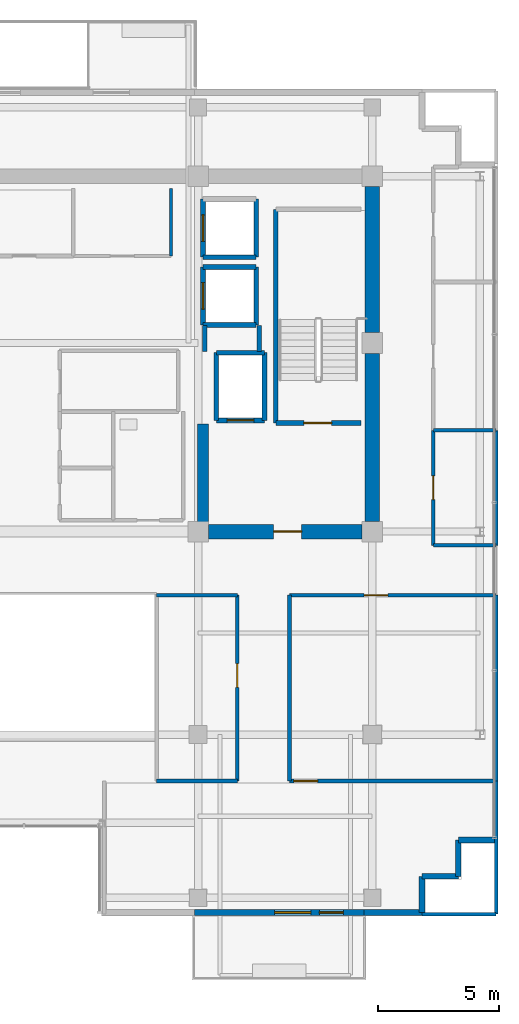
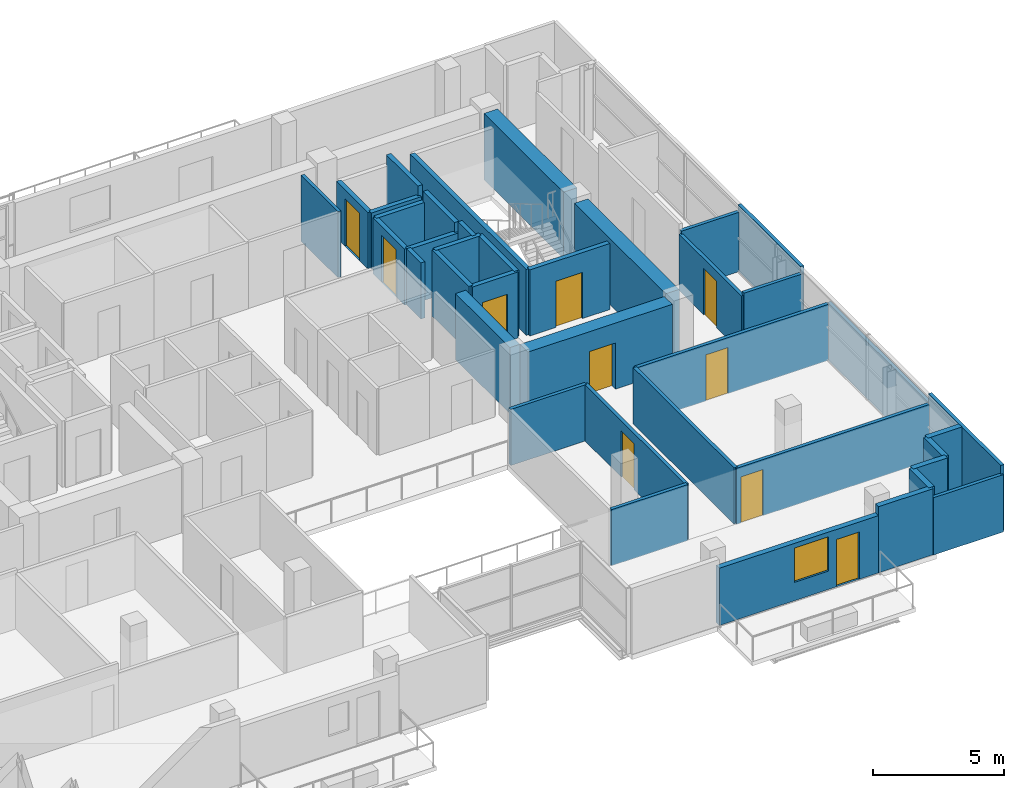
# One storey, part 18 of 24: 39 walls, 10 doors, 1 window, 11 openings.
"""IFC4 building model written with IfcOpenShell, lengths in metres."""

from ifc_helpers import new_model, si_unit, direction, frame, frame_2d, origin, place, context, subcontext, project, spatial, rectangle, extrude, source, transform, mapped, material, layer, layer_set, type_object, element, fill, save


model = new_model("IFC4")

# Units and contexts
model_context = context("Model", 3, precision=1e-05, world=origin(), true_north=direction((0.0, 1.0)))
body_context = subcontext(model_context, "Body", "Model", "MODEL_VIEW")
ifc_project = project(units=[si_unit("LENGTHUNIT", "METRE"), si_unit("AREAUNIT", "SQUARE_METRE"), si_unit("VOLUMEUNIT", "CUBIC_METRE"), si_unit("PLANEANGLEUNIT", "RADIAN"), si_unit("MASSUNIT", "GRAM", prefix="KILO")], contexts=[model_context])

# Site, building, storey
site_placement = place(None, origin())
site = spatial("IfcSite", under=ifc_project, at=site_placement, CompositionType="ELEMENT")
building_placement = place(site_placement, origin())
building = spatial("IfcBuilding", under=site, at=building_placement, Name="Zarnakvel Exchange Tower", CompositionType="ELEMENT")
storey_placement = place(building_placement, frame((0.0, 0.0, 208.89990234375)))
storey = spatial("IfcBuildingStorey", under=building, at=storey_placement, Name="L58", CompositionType="ELEMENT", Elevation=208.89990234375)

# Walls
ifc_material_1 = material(Name="Concrete C50/60", Category="concrete")
ifc_layer_1 = layer(ifc_material_1, 0.60009765625)
ifc_layer_set_1 = layer_set([ifc_layer_1], Name="Concrete C50/60")
wall_type_1 = type_object("IfcWallType", Name="CW-C5", PredefinedType="SHEAR", material=ifc_layer_set_1)
wall_1_placement = place(storey_placement, frame((14.39990234375, -0.77490234375, 0.0), z_axis=(0.0, 0.0, 1.0), x_axis=(0.0, 1.0, 0.0)))
element("IfcWall", 1, at=wall_1_placement, inside=storey, type_object=wall_type_1, Name="L58 Rear Core Shear Wall E1 (CW-C5)", PredefinedType="SHEAR", context=body_context, shape_type="SweptSolid", body=[
    extrude(rectangle(XDim=6.949951171875, YDim=0.60009765625, at=frame_2d((3.47509765625, 0.0))), origin(), (0.0, 0.0, 1.0), 3.0751953125),
])
wall_2_placement = place(storey_placement, frame((14.39990234375, 7.02490234375, 0.0), z_axis=(0.0, 0.0, 1.0), x_axis=(0.0, 1.0, 0.0)))
element("IfcWall", 2, at=wall_2_placement, inside=storey, type_object=wall_type_1, Name="L58 Rear Core Shear Wall E2 (CW-C5)", PredefinedType="SHEAR", context=body_context, shape_type="SweptSolid", body=[
    extrude(rectangle(XDim=6.050048828125, YDim=0.60009765625, at=frame_2d((3.02490234375, 0.0))), origin(), (0.0, 0.0, 1.0), 3.0751953125),
])

# Wall, opening, door
wall_3_placement = place(storey_placement, frame((13.97509765625, -1.199951171875, 0.0), z_axis=(0.0, 0.0, 1.0), x_axis=(-1.0, 0.0, 0.0)))
wall_3 = element("IfcWall", 3, at=wall_3_placement, inside=storey, type_object=wall_type_1, Name="L58 Rear Core Shear Wall SE (CW-C5)", PredefinedType="SHEAR", context=body_context, shape_type="SweptSolid", body=[
    extrude(rectangle(XDim=6.35009765625, YDim=0.60009765625, at=frame_2d((3.175048828125, 0.0))), origin(), (0.0, 0.0, 1.0), 3.0751953125),
])
opening_1_placement = place(wall_3_placement, frame((2.5, 0.0, 0.0)))
opening_1 = element("IfcOpeningElement", 4, at=opening_1_placement, cuts=wall_3, Name="Opening D-L58-04", PredefinedType="OPENING", context=body_context, shape_type="SweptSolid", body=[
    extrude(rectangle(XDim=1.14990234375, YDim=2.14990234375, at=frame_2d((0.574951171875, 1.074951171875))), frame((0.0, 0.31005859375, 0.0), z_axis=(0.0, -1.0, 0.0), x_axis=(1.0, 0.0, 0.0)), (0.0, 0.0, 1.0), 0.6201171875),
])
ifc_material_2 = material(Name="Painted Galvanised Steel S355", Category="steel")
door_type_1 = type_object("IfcDoorType", Name="DT-04", OperationType="NOTDEFINED", PredefinedType="DOOR", material=ifc_material_2)
shared_shape_1 = source(origin(), body_context, "Body", "SweptSolid", [
    extrude(rectangle(XDim=1.14990234375, YDim=2.14990234375, at=frame_2d((0.574951171875, 1.074951171875))), frame((0.0, 0.02490234375, 0.0), z_axis=(0.0, -1.0, 0.0), x_axis=(1.0, 0.0, 0.0)), (0.0, 0.0, 1.0), 0.050048828125),
])
door_1_placement = place(opening_1_placement, origin())
door_1 = element("IfcDoor", 5, at=door_1_placement, inside=storey, type_object=door_type_1, Name="L58 Firefighting Lobby East Door D-L58-04", OperationType="SINGLE_SWING_LEFT", OverallHeight=2.14990234375, OverallWidth=1.14990234375, PredefinedType="DOOR", context=body_context, shape_type="MappedRepresentation", body=[
    mapped(shared_shape_1, transform((0.0, 0.0, 0.0), x_axis=(1.0, 0.0, 0.0), y_axis=(0.0, 1.0, 0.0), z_axis=(0.0, 0.0, 1.0), scale=1.0)),
])
fill(opening_1, door_1)

# Wall
ifc_layer_2 = layer(ifc_material_1, 0.449951171875)
ifc_layer_set_2 = layer_set([ifc_layer_2], Name="Concrete C50/60")
wall_type_2 = type_object("IfcWallType", Name="CW-C6", PredefinedType="SHEAR", material=ifc_layer_set_2)
wall_4_placement = place(storey_placement, frame((7.39990234375, -0.89990234375, 0.0), z_axis=(0.0, 0.0, 1.0), x_axis=(0.0, 1.0, 0.0)))
element("IfcWall", 6, at=wall_4_placement, inside=storey, type_object=wall_type_2, Name="L58 Rear Core Shear Wall IE (CW-C6)", PredefinedType="SHEAR", context=body_context, shape_type="SweptSolid", body=[
    extrude(rectangle(XDim=4.14990234375, YDim=0.449951171875, at=frame_2d((2.074951171875, 0.0))), origin(), (0.0, 0.0, 1.0), 3.0751953125),
])

# Wall, openings, door, window
ifc_material_3 = material(Name="Precast concrete C40/50", Category="concrete")
ifc_layer_3 = layer(ifc_material_3, 0.239990234375)
ifc_layer_set_3 = layer_set([ifc_layer_3], Name="Precast concrete C40/50")
wall_type_3 = type_object("IfcWallType", Name="EW-02", PredefinedType="SOLIDWALL", material=ifc_layer_set_3)
wall_5_placement = place(storey_placement, frame((14.050048828125, -16.9599609375, 0.0), z_axis=(0.0, 0.0, 1.0), x_axis=(-1.0, 0.0, 0.0)))
wall_5 = element("IfcWall", 7, at=wall_5_placement, inside=storey, type_object=wall_type_3, Name="L58 Exterior Precast Spandrel Wall EW-BAL-L58-SE (EW-02)", PredefinedType="SOLIDWALL", context=body_context, shape_type="SweptSolid", body=[
    extrude(rectangle(XDim=7.0, YDim=0.239990234375, at=frame_2d((3.5, 0.0))), origin(), (0.0, 0.0, 1.0), 2.6650390625),
])
opening_2_placement = place(wall_5_placement, frame((0.840087890625, 0.0, 0.0)))
opening_2 = element("IfcOpeningElement", 8, at=opening_2_placement, cuts=wall_5, Name="Opening BD-L58-02", PredefinedType="OPENING", context=body_context, shape_type="SweptSolid", body=[
    extrude(rectangle(XDim=1.0, YDim=2.199951171875, at=frame_2d((0.5, 1.10009765625))), frame((0.0, 0.1298828125, 0.0), z_axis=(0.0, -1.0, 0.0), x_axis=(1.0, 0.0, 0.0)), (0.0, 0.0, 1.0), 0.260009765625),
])
opening_3_placement = place(wall_5_placement, frame((2.18994140625, 0.0, 0.85009765625)))
opening_3 = element("IfcOpeningElement", 9, at=opening_3_placement, cuts=wall_5, Name="Opening WN-03", PredefinedType="OPENING", context=body_context, shape_type="SweptSolid", body=[
    extrude(rectangle(XDim=1.5, YDim=1.60009765625, at=frame_2d((0.75, 0.800048828125))), frame((0.0, 0.1298828125, 0.0), z_axis=(0.0, -1.0, 0.0), x_axis=(1.0, 0.0, 0.0)), (0.0, 0.0, 1.0), 0.260009765625),
])
ifc_material_4 = material(Name="Architectural Bronze Anodised Aluminium", Category="aluminium")
door_type_2 = type_object("IfcDoorType", Name="DT-09", OperationType="NOTDEFINED", PredefinedType="DOOR", material=ifc_material_4)
shared_shape_2 = source(origin(), body_context, "Body", "SweptSolid", [
    extrude(rectangle(XDim=1.0, YDim=2.199951171875, at=frame_2d((0.5, 1.10009765625))), frame((0.0, 0.02490234375, 0.0), z_axis=(0.0, -1.0, 0.0), x_axis=(1.0, 0.0, 0.0)), (0.0, 0.0, 1.0), 0.050048828125),
])
door_2_placement = place(opening_2_placement, origin())
door_2 = element("IfcDoor", 10, at=door_2_placement, inside=storey, type_object=door_type_2, Name="L58 Planted Loggia Balcony Door BD-L58-02", OperationType="SINGLE_SWING_LEFT", OverallHeight=2.199951171875, OverallWidth=1.0, PredefinedType="DOOR", context=body_context, shape_type="MappedRepresentation", body=[
    mapped(shared_shape_2, transform((0.0, 0.0, 0.0), x_axis=(1.0, 0.0, 0.0), y_axis=(0.0, 1.0, 0.0), z_axis=(0.0, 0.0, 1.0), scale=1.0)),
])
fill(opening_2, door_2)
ifc_material_5 = material(Name="Double Low-E Laminated Vision Glass", Category="glass")
window_type = type_object("IfcWindowType", Name="WN-03", PartitioningType="SINGLE_PANEL", PredefinedType="WINDOW", material=ifc_material_5)
shared_shape_3 = source(origin(), body_context, "Body", "SweptSolid", [
    extrude(rectangle(XDim=1.5, YDim=1.60009765625, at=frame_2d((0.75, 0.800048828125))), frame((0.0, 0.030029296875, 0.0), z_axis=(0.0, -1.0, 0.0), x_axis=(1.0, 0.0, 0.0)), (0.0, 0.0, 1.0), 0.06005859375),
])
window_placement = place(opening_3_placement, origin())
window = element("IfcWindow", 11, at=window_placement, inside=storey, type_object=window_type, Name="L58 Loggia Daylight Window (WN-03)", OverallHeight=1.60009765625, OverallWidth=1.5, PartitioningType="SINGLE_PANEL", PredefinedType="WINDOW", context=body_context, shape_type="MappedRepresentation", body=[
    mapped(shared_shape_3, transform((0.0, 0.0, 0.0), x_axis=(1.0, 0.0, 0.0), y_axis=(0.0, 1.0, 0.0), z_axis=(0.0, 0.0, 1.0), scale=1.0)),
])
fill(opening_3, window)

# Walls
for number, where, z_axis, x_axis, name in (
    (12, (17.9599609375, -13.9599609375, 0.0), (0.0, 0.0, 1.0), (1.0, 0.0, 0.0), "L58 Exterior Precast Spandrel Wall EWC-L58-13 (EW-02)"),
    (13, (17.9599609375, -15.4599609375, 0.0), (0.0, 0.0, 1.0), (0.0, 1.0, 0.0), "L58 Exterior Precast Spandrel Wall EWC-L58-14 (EW-02)"),
    (14, (16.4599609375, -15.4599609375, 0.0), (0.0, 0.0, 1.0), (1.0, 0.0, 0.0), "L58 Exterior Precast Spandrel Wall EWC-L58-15 (EW-02)"),
    (15, (16.4599609375, -16.9599609375, 0.0), (0.0, 0.0, 1.0), (0.0, 1.0, 0.0), "L58 Exterior Precast Spandrel Wall EWC-L58-16 (EW-02)"),
):
    element("IfcWall", number, at=place(storey_placement, frame(where, z_axis=z_axis, x_axis=x_axis)), inside=storey, type_object=wall_type_3, Name=name, PredefinedType="SOLIDWALL", context=body_context, shape_type="SweptSolid", body=[
        extrude(rectangle(XDim=1.5, YDim=0.239990234375, at=frame_2d((0.75, 0.0))), origin(), (0.0, 0.0, 1.0), 3.0751953125),
    ])
wall_6_placement = place(storey_placement, frame((14.050048828125, -16.9599609375, 0.0), z_axis=(0.0, 0.0, 1.0), x_axis=(1.0, 0.0, 0.0)))
element("IfcWall", 16, at=wall_6_placement, inside=storey, type_object=wall_type_3, Name="L58 Exterior Precast Spandrel Wall EWC-L58-17 (EW-02)", PredefinedType="SOLIDWALL", context=body_context, shape_type="SweptSolid", body=[
    extrude(rectangle(XDim=2.409912109375, YDim=0.239990234375, at=frame_2d((1.205078125, 0.0))), origin(), (0.0, 0.0, 1.0), 3.0751953125),
])

# Wall, opening, door
ifc_material_6 = material(Name="Fire-Rated Gypsum Stud Partition", Category="gypsum")
ifc_layer_4 = layer(ifc_material_6, 0.14990234375)
ifc_layer_set_4 = layer_set([ifc_layer_4], Name="Fire-Rated Gypsum Stud Partition")
wall_type_4 = type_object("IfcWallType", Name="PT-01", PredefinedType="PARTITIONING", material=ifc_layer_set_4)
wall_7_placement = place(storey_placement, frame((19.530029296875, -11.52001953125, 0.0), z_axis=(0.0, 0.0, 1.0), x_axis=(-1.0, 0.0, 0.0)))
wall_7 = element("IfcWall", 17, at=wall_7_placement, inside=storey, type_object=wall_type_4, Name="L58 Partition Wall PWALL-L58-054 (PT-01)", PredefinedType="PARTITIONING", context=body_context, shape_type="SweptSolid", body=[
    extrude(rectangle(XDim=8.550048828125, YDim=0.14990234375, at=frame_2d((4.27490234375, 0.0))), origin(), (0.0, 0.0, 1.0), 2.614990234375),
])
opening_4_placement = place(wall_7_placement, frame((7.389892578125, 0.0, 0.0)))
opening_4 = element("IfcOpeningElement", 18, at=opening_4_placement, cuts=wall_7, Name="Opening D-L58-21", PredefinedType="OPENING", context=body_context, shape_type="SweptSolid", body=[
    extrude(rectangle(XDim=0.97998046875, YDim=2.14990234375, at=frame_2d((0.489990234375, 1.074951171875))), frame((0.0, 0.0849609375, 0.0), z_axis=(0.0, -1.0, 0.0), x_axis=(1.0, 0.0, 0.0)), (0.0, 0.0, 1.0), 0.169921875),
])
ifc_material_7 = material(Name="Timber Acoustic Veneer", Category="wood")
door_type_3 = type_object("IfcDoorType", Name="DT-05", OperationType="NOTDEFINED", PredefinedType="DOOR", material=ifc_material_7)
shared_shape_4 = source(origin(), body_context, "Body", "SweptSolid", [
    extrude(rectangle(XDim=0.97998046875, YDim=2.14990234375, at=frame_2d((0.489990234375, 1.074951171875))), frame((0.0, 0.02490234375, 0.0), z_axis=(0.0, -1.0, 0.0), x_axis=(1.0, 0.0, 0.0)), (0.0, 0.0, 1.0), 0.050048828125),
])
door_3_placement = place(opening_4_placement, origin())
door_3 = element("IfcDoor", 19, at=door_3_placement, inside=storey, type_object=door_type_3, Name="L58 Brokerage Workspace Door D-L58-21", OperationType="SINGLE_SWING_RIGHT", OverallHeight=2.14990234375, OverallWidth=0.97998046875, PredefinedType="DOOR", context=body_context, shape_type="MappedRepresentation", body=[
    mapped(shared_shape_4, transform((0.0, 0.0, 0.0), x_axis=(1.0, 0.0, 0.0), y_axis=(0.0, 1.0, 0.0), z_axis=(0.0, 0.0, 1.0), scale=1.0)),
])
fill(opening_4, door_3)

wall_8_placement = place(storey_placement, frame((10.97998046875, -3.830078125, 0.0), z_axis=(0.0, 0.0, 1.0), x_axis=(1.0, 0.0, 0.0)))
wall_8 = element("IfcWall", 20, at=wall_8_placement, inside=storey, type_object=wall_type_4, Name="L58 Partition Wall PWALL-L58-055 (PT-01)", PredefinedType="PARTITIONING", context=body_context, shape_type="SweptSolid", body=[
    extrude(rectangle(XDim=8.550048828125, YDim=0.14990234375, at=frame_2d((4.27490234375, 0.0))), origin(), (0.0, 0.0, 1.0), 2.614990234375),
])
opening_5_placement = place(wall_8_placement, frame((3.0849609375, 0.0, 0.0)))
opening_5 = element("IfcOpeningElement", 21, at=opening_5_placement, cuts=wall_8, Name="Opening D-L58-20", PredefinedType="OPENING", context=body_context, shape_type="SweptSolid", body=[
    extrude(rectangle(XDim=0.97998046875, YDim=2.14990234375, at=frame_2d((0.489990234375, 1.074951171875))), frame((0.0, 0.0849609375, 0.0), z_axis=(0.0, -1.0, 0.0), x_axis=(1.0, 0.0, 0.0)), (0.0, 0.0, 1.0), 0.169921875),
])
door_4_placement = place(opening_5_placement, origin())
door_4 = element("IfcDoor", 22, at=door_4_placement, inside=storey, type_object=door_type_3, Name="L58 Executive Office Door D-L58-20", OperationType="SINGLE_SWING_LEFT", OverallHeight=2.14990234375, OverallWidth=0.97998046875, PredefinedType="DOOR", context=body_context, shape_type="MappedRepresentation", body=[
    mapped(shared_shape_4, transform((0.0, 0.0, 0.0), x_axis=(1.0, 0.0, 0.0), y_axis=(0.0, 1.0, 0.0), z_axis=(0.0, 0.0, 1.0), scale=1.0)),
])
fill(opening_5, door_4)

# Walls
wall_9_placement = place(storey_placement, frame((10.97998046875, -11.52001953125, 0.0), z_axis=(0.0, 0.0, 1.0), x_axis=(0.0, 1.0, 0.0)))
element("IfcWall", 23, at=wall_9_placement, inside=storey, type_object=wall_type_4, Name="L58 Partition Wall PWALL-L58-056 (PT-01)", PredefinedType="PARTITIONING", context=body_context, shape_type="SweptSolid", body=[
    extrude(rectangle(XDim=7.68994140625, YDim=0.14990234375, at=frame_2d((3.844970703125, 0.0))), origin(), (0.0, 0.0, 1.0), 2.614990234375),
])
wall_10_placement = place(storey_placement, frame((19.530029296875, -3.830078125, 0.0), z_axis=(0.0, 0.0, 1.0), x_axis=(0.0, -1.0, 0.0)))
element("IfcWall", 24, at=wall_10_placement, inside=storey, type_object=wall_type_4, Name="L58 Partition Wall PWALL-L58-057 (PT-01)", PredefinedType="PARTITIONING", context=body_context, shape_type="SweptSolid", body=[
    extrude(rectangle(XDim=7.68994140625, YDim=0.14990234375, at=frame_2d((3.844970703125, 0.0))), origin(), (0.0, 0.0, 1.0), 2.6650390625),
])
wall_11_placement = place(storey_placement, frame((19.530029296875, -17.030029296875, 0.0), z_axis=(0.0, 0.0, 1.0), x_axis=(-1.0, 0.0, 0.0)))
element("IfcWall", 25, at=wall_11_placement, inside=storey, type_object=wall_type_4, Name="L58 Partition Wall PWALL-L58-058 (PT-01)", PredefinedType="PARTITIONING", context=body_context, shape_type="SweptSolid", body=[
    extrude(rectangle(XDim=3.070068359375, YDim=0.14990234375, at=frame_2d((1.53515625, 0.0))), origin(), (0.0, 0.0, 1.0), 2.6650390625),
])
wall_12_placement = place(storey_placement, frame((19.530029296875, -11.52001953125, 0.0), z_axis=(0.0, 0.0, 1.0), x_axis=(0.0, -1.0, 0.0)))
element("IfcWall", 26, at=wall_12_placement, inside=storey, type_object=wall_type_4, Name="L58 Partition Wall PWALL-L58-060 (PT-01)", PredefinedType="PARTITIONING", context=body_context, shape_type="SweptSolid", body=[
    extrude(rectangle(XDim=5.510009765625, YDim=0.14990234375, at=frame_2d((2.7548828125, 0.0))), origin(), (0.0, 0.0, 1.0), 3.0751953125),
])
for number, where, z_axis, x_axis, name in (
    (27, (8.820068359375, -11.52001953125, 0.0), (0.0, 0.0, 1.0), (-1.0, 0.0, 0.0), "L58 Partition Wall PWALL-L58-065 (PT-01)"),
    (28, (5.47998046875, -3.830078125, 0.0), (0.0, 0.0, 1.0), (1.0, 0.0, 0.0), "L58 Partition Wall PWALL-L58-066 (PT-01)"),
):
    element("IfcWall", number, at=place(storey_placement, frame(where, z_axis=z_axis, x_axis=x_axis)), inside=storey, type_object=wall_type_4, Name=name, PredefinedType="PARTITIONING", context=body_context, shape_type="SweptSolid", body=[
        extrude(rectangle(XDim=3.340087890625, YDim=0.14990234375, at=frame_2d((1.669921875, 0.0))), origin(), (0.0, 0.0, 1.0), 2.614990234375),
    ])

# Wall, opening, door
wall_13_placement = place(storey_placement, frame((8.820068359375, -3.830078125, 0.0), z_axis=(0.0, 0.0, 1.0), x_axis=(0.0, -1.0, 0.0)))
wall_13 = element("IfcWall", 29, at=wall_13_placement, inside=storey, type_object=wall_type_4, Name="L58 Partition Wall PWALL-L58-068 (PT-01)", PredefinedType="PARTITIONING", context=body_context, shape_type="SweptSolid", body=[
    extrude(rectangle(XDim=7.68994140625, YDim=0.14990234375, at=frame_2d((3.844970703125, 0.0))), origin(), (0.0, 0.0, 1.0), 2.614990234375),
])
opening_6_placement = place(wall_13_placement, frame((2.8349609375, 0.0, 0.0)))
opening_6 = element("IfcOpeningElement", 30, at=opening_6_placement, cuts=wall_13, Name="Opening D-L58-23", PredefinedType="OPENING", context=body_context, shape_type="SweptSolid", body=[
    extrude(rectangle(XDim=0.97998046875, YDim=2.14990234375, at=frame_2d((0.489990234375, 1.074951171875))), frame((0.0, 0.0849609375, 0.0), z_axis=(0.0, -1.0, 0.0), x_axis=(1.0, 0.0, 0.0)), (0.0, 0.0, 1.0), 0.169921875),
])
door_5_placement = place(opening_6_placement, origin())
door_5 = element("IfcDoor", 31, at=door_5_placement, inside=storey, type_object=door_type_3, Name="L58 Market Data Suite Door D-L58-23", OperationType="SINGLE_SWING_RIGHT", OverallHeight=2.14990234375, OverallWidth=0.97998046875, PredefinedType="DOOR", context=body_context, shape_type="MappedRepresentation", body=[
    mapped(shared_shape_4, transform((0.0, 0.0, 0.0), x_axis=(1.0, 0.0, 0.0), y_axis=(0.0, 1.0, 0.0), z_axis=(0.0, 0.0, 1.0), scale=1.0)),
])
fill(opening_6, door_5)

# Walls
for number, where, z_axis, x_axis, name in (
    (32, (19.530029296875, -1.77001953125, 0.0), (0.0, 0.0, 1.0), (-1.0, 0.0, 0.0), "L58 Partition Wall PWALL-L58-072 (PT-01)"),
    (33, (16.929931640625, 2.987060546875, 0.0), (0.0, 0.0, 1.0), (1.0, 0.0, 0.0), "L58 Partition Wall PWALL-L58-073 (PT-01)"),
):
    element("IfcWall", number, at=place(storey_placement, frame(where, z_axis=z_axis, x_axis=x_axis)), inside=storey, type_object=wall_type_4, Name=name, PredefinedType="PARTITIONING", context=body_context, shape_type="SweptSolid", body=[
        extrude(rectangle(XDim=2.60009765625, YDim=0.14990234375, at=frame_2d((1.300048828125, 0.0))), origin(), (0.0, 0.0, 1.0), 2.76513671875),
    ])

# Wall, opening, door
wall_14_placement = place(storey_placement, frame((16.929931640625, -1.77001953125, 0.0), z_axis=(0.0, 0.0, 1.0), x_axis=(0.0, 1.0, 0.0)))
wall_14 = element("IfcWall", 34, at=wall_14_placement, inside=storey, type_object=wall_type_4, Name="L58 Partition Wall PWALL-L58-074 (PT-01)", PredefinedType="PARTITIONING", context=body_context, shape_type="SweptSolid", body=[
    extrude(rectangle(XDim=4.757080078125, YDim=0.14990234375, at=frame_2d((2.37841796875, 0.0))), origin(), (0.0, 0.0, 1.0), 2.614990234375),
])
opening_7_placement = place(wall_14_placement, frame((1.888916015625, 0.0, 0.0)))
opening_7 = element("IfcOpeningElement", 35, at=opening_7_placement, cuts=wall_14, Name="Opening D-L58-25", PredefinedType="OPENING", context=body_context, shape_type="SweptSolid", body=[
    extrude(rectangle(XDim=0.97998046875, YDim=2.14990234375, at=frame_2d((0.489990234375, 1.074951171875))), frame((0.0, 0.0849609375, 0.0), z_axis=(0.0, -1.0, 0.0), x_axis=(1.0, 0.0, 0.0)), (0.0, 0.0, 1.0), 0.169921875),
])
door_6_placement = place(opening_7_placement, origin())
door_6 = element("IfcDoor", 36, at=door_6_placement, inside=storey, type_object=door_type_3, Name="L58 Staff Pantry Door D-L58-25", OperationType="SINGLE_SWING_RIGHT", OverallHeight=2.14990234375, OverallWidth=0.97998046875, PredefinedType="DOOR", context=body_context, shape_type="MappedRepresentation", body=[
    mapped(shared_shape_4, transform((0.0, 0.0, 0.0), x_axis=(1.0, 0.0, 0.0), y_axis=(0.0, 1.0, 0.0), z_axis=(0.0, 0.0, 1.0), scale=1.0)),
])
fill(opening_7, door_6)

# Walls
wall_15_placement = place(storey_placement, frame((19.530029296875, 2.987060546875, 0.0), z_axis=(0.0, 0.0, 1.0), x_axis=(0.0, -1.0, 0.0)))
element("IfcWall", 37, at=wall_15_placement, inside=storey, type_object=wall_type_4, Name="L58 Partition Wall PWALL-L58-075 (PT-01)", PredefinedType="PARTITIONING", context=body_context, shape_type="SweptSolid", body=[
    extrude(rectangle(XDim=4.757080078125, YDim=0.14990234375, at=frame_2d((2.37841796875, 0.0))), origin(), (0.0, 0.0, 1.0), 3.0751953125),
])
ifc_layer_5 = layer(ifc_material_6, 0.179931640625)
ifc_layer_set_5 = layer_set([ifc_layer_5], Name="Fire-Rated Gypsum Stud Partition")
wall_type_5 = type_object("IfcWallType", Name="PT-02", PredefinedType="PARTITIONING", material=ifc_layer_set_5)
wall_16_placement = place(storey_placement, frame((7.469970703125, 6.239990234375, 0.0), z_axis=(0.0, 0.0, 1.0), x_axis=(0.0, 1.0, 0.0)))
element("IfcWall", 38, at=wall_16_placement, inside=storey, type_object=wall_type_5, Name="L58 Partition Wall PWALL-L58-009 (PT-02)", PredefinedType="PARTITIONING", context=body_context, shape_type="SweptSolid", body=[
    extrude(rectangle(XDim=1.090087890625, YDim=0.179931640625, at=frame_2d((0.544921875, 0.0))), origin(), (0.0, 0.0, 1.0), 2.614990234375),
])
wall_17_placement = place(storey_placement, frame((9.72998046875, 7.330078125, 0.0), z_axis=(0.0, 0.0, 1.0), x_axis=(0.0, -1.0, 0.0)))
element("IfcWall", 39, at=wall_17_placement, inside=storey, type_object=wall_type_5, Name="L58 Partition Wall PWALL-L58-010 (PT-02)", PredefinedType="PARTITIONING", context=body_context, shape_type="SweptSolid", body=[
    extrude(rectangle(XDim=1.090087890625, YDim=0.179931640625, at=frame_2d((0.544921875, 0.0))), origin(), (0.0, 0.0, 1.0), 3.0751953125),
])
ifc_material_8 = material(Name="Moisture-Resistant Tile-Faced Partition", Category="gypsum")
ifc_layer_6 = layer(ifc_material_8, 0.135009765625)
ifc_layer_set_6 = layer_set([ifc_layer_6], Name="Moisture-Resistant Tile-Faced Partition")
wall_type_6 = type_object("IfcWallType", Name="PT-03", PredefinedType="PARTITIONING", material=ifc_layer_set_6)
wall_18_placement = place(storey_placement, frame((6.080078125, 13.0, 0.0), z_axis=(0.0, 0.0, 1.0), x_axis=(0.0, -1.0, 0.0)))
element("IfcWall", 40, at=wall_18_placement, inside=storey, type_object=wall_type_6, Name="L58 Partition Wall PWALL-L58-017 (PT-03)", PredefinedType="PARTITIONING", context=body_context, shape_type="SweptSolid", body=[
    extrude(rectangle(XDim=2.800048828125, YDim=0.135009765625, at=frame_2d((1.39990234375, 0.0))), origin(), (0.0, 0.0, 1.0), 3.0751953125),
])

# Wall, opening, door
ifc_material_9 = material(Name="Concrete C40/50", Category="concrete")
ifc_layer_7 = layer(ifc_material_9, 0.199951171875)
ifc_layer_set_7 = layer_set([ifc_layer_7], Name="Concrete C40/50")
wall_type_7 = type_object("IfcWallType", Name="SW-01", PredefinedType="SOLIDWALL", material=ifc_layer_set_7)
wall_19_placement = place(storey_placement, frame((9.949951171875, 3.39990234375, 0.0), z_axis=(0.0, 0.0, 1.0), x_axis=(-1.0, 0.0, 0.0)))
wall_19 = element("IfcWall", 41, at=wall_19_placement, inside=storey, type_object=wall_type_7, Name="L58 FL-02 Hoistway Wall South", PredefinedType="SOLIDWALL", context=body_context, shape_type="SweptSolid", body=[
    extrude(rectangle(XDim=2.0, YDim=0.199951171875, at=frame_2d((1.0, 0.0))), origin(), (0.0, 0.0, 1.0), 3.0751953125),
])
opening_8_placement = place(wall_19_placement, frame((0.449951171875, 0.0, 0.0)))
opening_8 = element("IfcOpeningElement", 42, at=opening_8_placement, cuts=wall_19, Name="Opening LD-FL-02-L58", PredefinedType="OPENING", context=body_context, shape_type="SweptSolid", body=[
    extrude(rectangle(XDim=1.10009765625, YDim=2.199951171875, at=frame_2d((0.550048828125, 1.10009765625))), frame((0.0, 0.10986328125, 0.0), z_axis=(0.0, -1.0, 0.0), x_axis=(1.0, 0.0, 0.0)), (0.0, 0.0, 1.0), 0.219970703125),
])
ifc_material_10 = material(Name="Brushed Stainless Steel", Category="steel")
door_type_4 = type_object("IfcDoorType", Name="LDT-01", OperationType="NOTDEFINED", PredefinedType="DOOR", material=ifc_material_10)
shared_shape_5 = source(origin(), body_context, "Body", "SweptSolid", [
    extrude(rectangle(XDim=1.10009765625, YDim=2.199951171875, at=frame_2d((0.550048828125, 1.10009765625))), frame((0.0, 0.02490234375, 0.0), z_axis=(0.0, -1.0, 0.0), x_axis=(1.0, 0.0, 0.0)), (0.0, 0.0, 1.0), 0.050048828125),
])
door_7_placement = place(opening_8_placement, origin())
door_7 = element("IfcDoor", 43, at=door_7_placement, inside=storey, type_object=door_type_4, Name="L58 FL-02 Lift Landing Door LD-FL-02-L58", OperationType="DOUBLE_DOOR_SLIDING", OverallHeight=2.199951171875, OverallWidth=1.10009765625, PredefinedType="DOOR", context=body_context, shape_type="MappedRepresentation", body=[
    mapped(shared_shape_5, transform((0.0, 0.0, 0.0), x_axis=(1.0, 0.0, 0.0), y_axis=(0.0, 1.0, 0.0), z_axis=(0.0, 0.0, 1.0), scale=1.0)),
])
fill(opening_8, door_7)

# Walls
wall_20_placement = place(storey_placement, frame((7.949951171875, 6.199951171875, 0.0), z_axis=(0.0, 0.0, 1.0), x_axis=(1.0, 0.0, 0.0)))
element("IfcWall", 44, at=wall_20_placement, inside=storey, type_object=wall_type_7, Name="L58 FL-02 Hoistway Wall North", PredefinedType="SOLIDWALL", context=body_context, shape_type="SweptSolid", body=[
    extrude(rectangle(XDim=2.0, YDim=0.199951171875, at=frame_2d((1.0, 0.0))), origin(), (0.0, 0.0, 1.0), 3.0751953125),
])
for number, where, z_axis, x_axis, name in (
    (45, (7.949951171875, 3.39990234375, 0.0), (0.0, 0.0, 1.0), (0.0, 1.0, 0.0), "L58 FL-02 Hoistway Wall West"),
    (46, (9.949951171875, 6.199951171875, 0.0), (0.0, 0.0, 1.0), (0.0, -1.0, 0.0), "L58 FL-02 Hoistway Wall East"),
):
    element("IfcWall", number, at=place(storey_placement, frame(where, z_axis=z_axis, x_axis=x_axis)), inside=storey, type_object=wall_type_7, Name=name, PredefinedType="SOLIDWALL", context=body_context, shape_type="SweptSolid", body=[
        extrude(rectangle(XDim=2.800048828125, YDim=0.199951171875, at=frame_2d((1.39990234375, 0.0))), origin(), (0.0, 0.0, 1.0), 3.0751953125),
    ])
for number, where, z_axis, x_axis, name in (
    (47, (9.60009765625, 7.35009765625, 0.0), (0.0, 0.0, 1.0), (-1.0, 0.0, 0.0), "L58 PL-11 Hoistway Wall South"),
    (48, (7.39990234375, 9.75, 0.0), (0.0, 0.0, 1.0), (1.0, 0.0, 0.0), "L58 PL-11 Hoistway Wall North"),
):
    element("IfcWall", number, at=place(storey_placement, frame(where, z_axis=z_axis, x_axis=x_axis)), inside=storey, type_object=wall_type_7, Name=name, PredefinedType="SOLIDWALL", context=body_context, shape_type="SweptSolid", body=[
        extrude(rectangle(XDim=2.2001953125, YDim=0.199951171875, at=frame_2d((1.10009765625, 0.0))), origin(), (0.0, 0.0, 1.0), 2.614990234375),
    ])

# Wall, opening, door
wall_21_placement = place(storey_placement, frame((7.39990234375, 7.35009765625, 0.0), z_axis=(0.0, 0.0, 1.0), x_axis=(0.0, 1.0, 0.0)))
wall_21 = element("IfcWall", 49, at=wall_21_placement, inside=storey, type_object=wall_type_7, Name="L58 PL-11 Hoistway Wall West", PredefinedType="SOLIDWALL", context=body_context, shape_type="SweptSolid", body=[
    extrude(rectangle(XDim=2.39990234375, YDim=0.199951171875, at=frame_2d((1.199951171875, 0.0))), origin(), (0.0, 0.0, 1.0), 2.614990234375),
])
opening_9_placement = place(wall_21_placement, frame((0.64990234375, 0.0, 0.0)))
opening_9 = element("IfcOpeningElement", 50, at=opening_9_placement, cuts=wall_21, Name="Opening LD-PL-11-L58", PredefinedType="OPENING", context=body_context, shape_type="SweptSolid", body=[
    extrude(rectangle(XDim=1.10009765625, YDim=2.199951171875, at=frame_2d((0.550048828125, 1.10009765625))), frame((0.0, 0.10986328125, 0.0), z_axis=(0.0, -1.0, 0.0), x_axis=(1.0, 0.0, 0.0)), (0.0, 0.0, 1.0), 0.219970703125),
])
door_type_5 = type_object("IfcDoorType", Name="LDT-02", OperationType="NOTDEFINED", PredefinedType="DOOR", material=ifc_material_4)
door_8_placement = place(opening_9_placement, origin())
door_8 = element("IfcDoor", 51, at=door_8_placement, inside=storey, type_object=door_type_5, Name="L58 PL-11 Lift Landing Door LD-PL-11-L58", OperationType="DOUBLE_DOOR_SLIDING", OverallHeight=2.199951171875, OverallWidth=1.10009765625, PredefinedType="DOOR", context=body_context, shape_type="MappedRepresentation", body=[
    mapped(shared_shape_5, transform((0.0, 0.0, 0.0), x_axis=(1.0, 0.0, 0.0), y_axis=(0.0, 1.0, 0.0), z_axis=(0.0, 0.0, 1.0), scale=1.0)),
])
fill(opening_9, door_8)

# Walls
wall_22_placement = place(storey_placement, frame((9.60009765625, 9.75, 0.0), z_axis=(0.0, 0.0, 1.0), x_axis=(0.0, -1.0, 0.0)))
element("IfcWall", 52, at=wall_22_placement, inside=storey, type_object=wall_type_7, Name="L58 PL-11 Hoistway Wall East", PredefinedType="SOLIDWALL", context=body_context, shape_type="SweptSolid", body=[
    extrude(rectangle(XDim=2.39990234375, YDim=0.199951171875, at=frame_2d((1.199951171875, 0.0))), origin(), (0.0, 0.0, 1.0), 3.0751953125),
])
wall_23_placement = place(storey_placement, frame((9.60009765625, 10.14990234375, 0.0), z_axis=(0.0, 0.0, 1.0), x_axis=(-1.0, 0.0, 0.0)))
element("IfcWall", 53, at=wall_23_placement, inside=storey, type_object=wall_type_7, Name="L58 PL-12 Hoistway Wall South", PredefinedType="SOLIDWALL", context=body_context, shape_type="SweptSolid", body=[
    extrude(rectangle(XDim=2.2001953125, YDim=0.199951171875, at=frame_2d((1.10009765625, 0.0))), origin(), (0.0, 0.0, 1.0), 2.614990234375),
])

# Wall, opening, door
wall_24_placement = place(storey_placement, frame((7.39990234375, 10.14990234375, 0.0), z_axis=(0.0, 0.0, 1.0), x_axis=(0.0, 1.0, 0.0)))
wall_24 = element("IfcWall", 54, at=wall_24_placement, inside=storey, type_object=wall_type_7, Name="L58 PL-12 Hoistway Wall West", PredefinedType="SOLIDWALL", context=body_context, shape_type="SweptSolid", body=[
    extrude(rectangle(XDim=2.400146484375, YDim=0.199951171875, at=frame_2d((1.2001953125, 0.0))), origin(), (0.0, 0.0, 1.0), 2.614990234375),
])
opening_10_placement = place(wall_24_placement, frame((0.64990234375, 0.0, 0.0)))
opening_10 = element("IfcOpeningElement", 55, at=opening_10_placement, cuts=wall_24, Name="Opening LD-PL-12-L58", PredefinedType="OPENING", context=body_context, shape_type="SweptSolid", body=[
    extrude(rectangle(XDim=1.10009765625, YDim=2.199951171875, at=frame_2d((0.550048828125, 1.10009765625))), frame((0.0, 0.10986328125, 0.0), z_axis=(0.0, -1.0, 0.0), x_axis=(1.0, 0.0, 0.0)), (0.0, 0.0, 1.0), 0.219970703125),
])
door_9_placement = place(opening_10_placement, origin())
door_9 = element("IfcDoor", 56, at=door_9_placement, inside=storey, type_object=door_type_5, Name="L58 PL-12 Lift Landing Door LD-PL-12-L58", OperationType="DOUBLE_DOOR_SLIDING", OverallHeight=2.199951171875, OverallWidth=1.10009765625, PredefinedType="DOOR", context=body_context, shape_type="MappedRepresentation", body=[
    mapped(shared_shape_5, transform((0.0, 0.0, 0.0), x_axis=(1.0, 0.0, 0.0), y_axis=(0.0, 1.0, 0.0), z_axis=(0.0, 0.0, 1.0), scale=1.0)),
])
fill(opening_10, door_9)

# Wall
wall_25_placement = place(storey_placement, frame((9.60009765625, 12.550048828125, 0.0), z_axis=(0.0, 0.0, 1.0), x_axis=(0.0, -1.0, 0.0)))
element("IfcWall", 57, at=wall_25_placement, inside=storey, type_object=wall_type_7, Name="L58 PL-12 Hoistway Wall East", PredefinedType="SOLIDWALL", context=body_context, shape_type="SweptSolid", body=[
    extrude(rectangle(XDim=2.400146484375, YDim=0.199951171875, at=frame_2d((1.2001953125, 0.0))), origin(), (0.0, 0.0, 1.0), 3.0751953125),
])

# Wall, opening, door
ifc_layer_8 = layer(ifc_material_9, 0.199951171875)
ifc_layer_set_8 = layer_set([ifc_layer_8], Name="Concrete C40/50")
wall_type_8 = type_object("IfcWallType", Name="SW-02", PredefinedType="SOLIDWALL", material=ifc_layer_set_8)
wall_26_placement = place(storey_placement, frame((13.929931640625, 3.2900390625, 0.0), z_axis=(0.0, 0.0, 1.0), x_axis=(-1.0, 0.0, 0.0)))
wall_26 = element("IfcWall", 58, at=wall_26_placement, inside=storey, type_object=wall_type_8, Name="L58 Stairwell Core Wall PWALL-L58-004 (SW-02)", PredefinedType="SOLIDWALL", context=body_context, shape_type="SweptSolid", body=[
    extrude(rectangle(XDim=3.52001953125, YDim=0.199951171875, at=frame_2d((1.760009765625, 0.0))), origin(), (0.0, 0.0, 1.0), 3.0751953125),
])
opening_11_placement = place(wall_26_placement, frame((1.205078125, 0.0, 0.0)))
opening_11 = element("IfcOpeningElement", 59, at=opening_11_placement, cuts=wall_26, Name="Opening D-L58-02", PredefinedType="OPENING", context=body_context, shape_type="SweptSolid", body=[
    extrude(rectangle(XDim=1.14990234375, YDim=2.14990234375, at=frame_2d((0.574951171875, 1.074951171875))), frame((0.0, 0.10986328125, 0.0), z_axis=(0.0, -1.0, 0.0), x_axis=(1.0, 0.0, 0.0)), (0.0, 0.0, 1.0), 0.219970703125),
])
door_10_placement = place(opening_11_placement, origin())
door_10 = element("IfcDoor", 60, at=door_10_placement, inside=storey, type_object=door_type_1, Name="L58 Stairwell ST-02 Door D-L58-02", OperationType="SINGLE_SWING_LEFT", OverallHeight=2.14990234375, OverallWidth=1.14990234375, PredefinedType="DOOR", context=body_context, shape_type="MappedRepresentation", body=[
    mapped(shared_shape_1, transform((0.0, 0.0, 0.0), x_axis=(1.0, 0.0, 0.0), y_axis=(0.0, 1.0, 0.0), z_axis=(0.0, 0.0, 1.0), scale=1.0)),
])
fill(opening_11, door_10)

# Wall
wall_27_placement = place(storey_placement, frame((10.409912109375, 3.2900390625, 0.0), z_axis=(0.0, 0.0, 1.0), x_axis=(0.0, 1.0, 0.0)))
element("IfcWall", 61, at=wall_27_placement, inside=storey, type_object=wall_type_8, Name="L58 Stairwell Core Wall PWALL-L58-006 (SW-02)", PredefinedType="SOLIDWALL", context=body_context, shape_type="SweptSolid", body=[
    extrude(rectangle(XDim=8.83984375, YDim=0.199951171875, at=frame_2d((4.419921875, 0.0))), origin(), (0.0, 0.0, 1.0), 3.0751953125),
])

save(model, "model.ifc")
